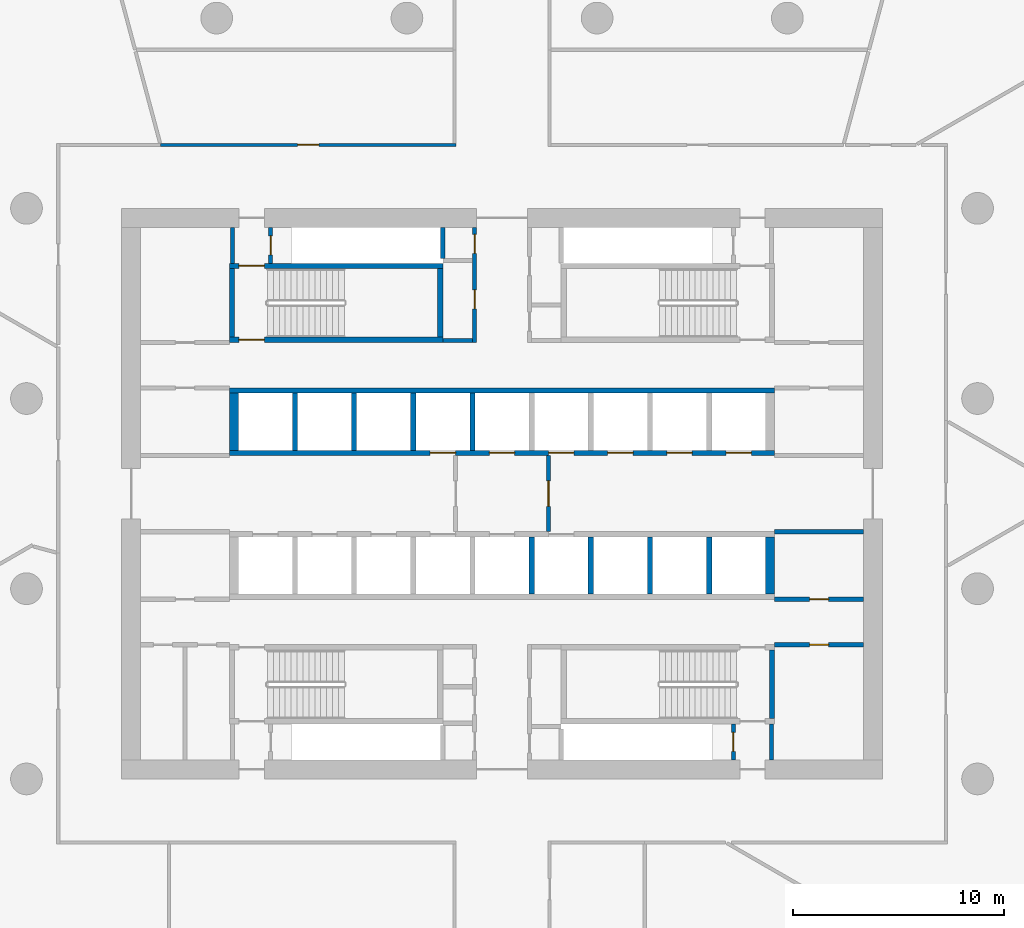
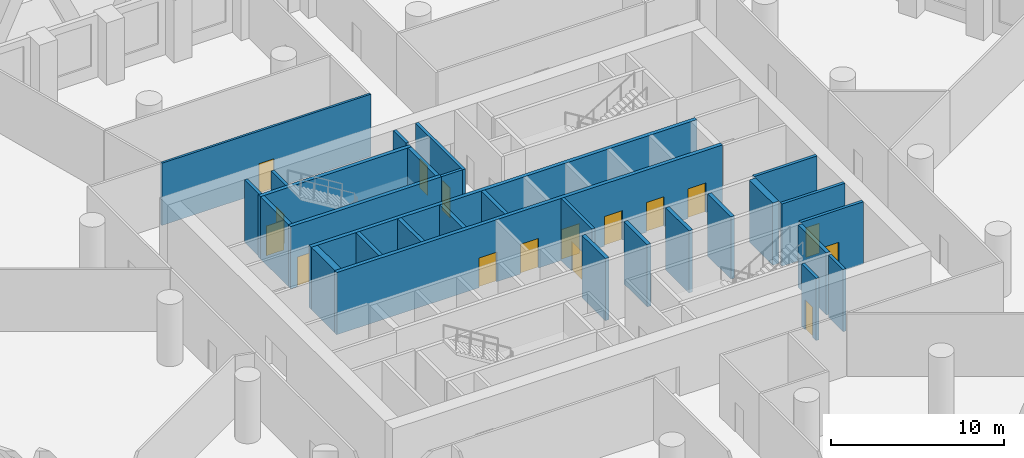
# One storey, part 7 of 27: 29 walls, 16 doors, 16 openings.
"""IFC4 building model written with IfcOpenShell, lengths in metres."""

from ifc_helpers import new_model, si_unit, direction, frame, frame_2d, origin, place, context, subcontext, project, spatial, polyline, rectangle, outline, extrude, material, layer, layer_set, type_object, element, fill, save


model = new_model("IFC4")

# Units and contexts
model_context = context("Model", 3, precision=1e-05, world=origin(), true_north=direction((0.0, 1.0)))
body_context = subcontext(model_context, "Body", "Model", "MODEL_VIEW")
ifc_project = project(units=[si_unit("LENGTHUNIT", "METRE"), si_unit("AREAUNIT", "SQUARE_METRE"), si_unit("VOLUMEUNIT", "CUBIC_METRE"), si_unit("PLANEANGLEUNIT", "RADIAN"), si_unit("MASSUNIT", "GRAM", prefix="KILO")], contexts=[model_context])

# Site, building, storey
site_placement = place(None, origin())
site = spatial("IfcSite", under=ifc_project, at=site_placement, CompositionType="ELEMENT")
building_placement = place(site_placement, origin())
building = spatial("IfcBuilding", under=site, at=building_placement, Name="Dhurran Vertical Campus", CompositionType="ELEMENT")
storey_placement = place(building_placement, frame((0.0, 0.0, 10.800048828125)))
storey = spatial("IfcBuildingStorey", under=building, at=storey_placement, Name="L02", CompositionType="ELEMENT", Elevation=10.800048828125)

# Wall, opening, door
ifc_material_1 = material(Name="Fire-rated masonry blockwork", Category="masonry")
ifc_layer_1 = layer(ifc_material_1, 0.199951171875)
ifc_layer_set_1 = layer_set([ifc_layer_1], Name="Fire-rated masonry blockwork")
wall_type_1 = type_object("IfcWallType", Name="co-FIRE-PARTITION-200", PredefinedType="PARTITIONING", material=ifc_layer_set_1)
wall_1_placement = place(storey_placement, frame((2.199951171875, -1.800048828125, 0.0), z_axis=(0.0, 0.0, 1.0), x_axis=(0.0, 1.0, 0.0)))
wall_1 = element("IfcWall", 1, at=wall_1_placement, inside=storey, type_object=wall_type_1, Name="Firefighting lobby wall E L02", PredefinedType="PARTITIONING", context=body_context, shape_type="SweptSolid", body=[
    extrude(rectangle(XDim=3.60009765625, YDim=0.199951171875, at=frame_2d((1.800048828125, 0.0))), origin(), (0.0, 0.0, 1.0), 4.39990234375),
])
opening_1_placement = place(wall_1_placement, frame((1.199951171875, 0.0, 0.0)))
opening_1 = element("IfcOpeningElement", 2, at=opening_1_placement, cuts=wall_1, Name="Opening FL2", PredefinedType="OPENING", context=body_context, shape_type="SweptSolid", body=[
    extrude(rectangle(XDim=1.199951171875, YDim=2.10009765625, at=frame_2d((0.60009765625, 1.050048828125))), frame((0.0, 0.10986328125, 0.0), z_axis=(0.0, -1.0, 0.0), x_axis=(1.0, 0.0, 0.0)), (0.0, 0.0, 1.0), 0.219970703125),
])
ifc_material_2 = material(Name="Fire-rated steel door set", Category="steel")
door_type_1 = type_object("IfcDoorType", Name="co-D-FFLOBBY 1200x2100", OperationType="SINGLE_SWING_LEFT", PredefinedType="DOOR", material=ifc_material_2)
door_1_placement = place(opening_1_placement, origin())
door_1 = element("IfcDoor", 3, at=door_1_placement, inside=storey, type_object=door_type_1, Name="Firefighting lobby door E L02", OperationType="SINGLE_SWING_LEFT", OverallHeight=2.10009765625, OverallWidth=1.199951171875, PredefinedType="DOOR", context=body_context, shape_type="SweptSolid", body=[
    extrude(rectangle(XDim=1.199951171875, YDim=2.10009765625, at=frame_2d((0.60009765625, 1.050048828125))), frame((0.0, 0.02490234375, 0.0), z_axis=(0.0, -1.0, 0.0), x_axis=(1.0, 0.0, 0.0)), (0.0, 0.0, 1.0), 0.050048828125),
])
fill(opening_1, door_1)

# Wall
wall_2_placement = place(storey_placement, frame((-2.800048828125, 7.25, 0.0), z_axis=(0.0, 0.0, 1.0), x_axis=(1.0, 0.0, 0.0)))
element("IfcWall", 4, at=wall_2_placement, inside=storey, type_object=wall_type_1, Name="Core partition sl-NW-S L02", PredefinedType="PARTITIONING", context=body_context, shape_type="SweptSolid", body=[
    extrude(rectangle(XDim=1.400146484375, YDim=0.199951171875, at=frame_2d((0.7001953125, 0.0))), origin(), (0.0, 0.0, 1.0), 4.39990234375),
])

# Wall, openings, doors
wall_3_placement = place(storey_placement, frame((-1.300048828125, 7.14990234375, 0.0), z_axis=(0.0, 0.0, 1.0), x_axis=(0.0, 1.0, 0.0)))
wall_3 = element("IfcWall", 5, at=wall_3_placement, inside=storey, type_object=wall_type_1, Name="Core partition vest-NW L02", PredefinedType="PARTITIONING", context=body_context, shape_type="SweptSolid", body=[
    extrude(rectangle(XDim=5.4501953125, YDim=0.199951171875, at=frame_2d((2.72509765625, 0.0))), origin(), (0.0, 0.0, 1.0), 4.39990234375),
])
opening_2_placement = place(wall_3_placement, frame((1.58740234375, 0.0, 0.0)))
opening_2 = element("IfcOpeningElement", 6, at=opening_2_placement, cuts=wall_3, Name="Opening PD02-C6", PredefinedType="OPENING", context=body_context, shape_type="SweptSolid", body=[
    extrude(rectangle(XDim=0.89990234375, YDim=2.10009765625, at=frame_2d((0.449951171875, 1.050048828125))), frame((0.0, 0.10986328125, 0.0), z_axis=(0.0, -1.0, 0.0), x_axis=(1.0, 0.0, 0.0)), (0.0, 0.0, 1.0), 0.219970703125),
])
opening_3_placement = place(wall_3_placement, frame((4.21240234375, 0.0, 0.0)))
opening_3 = element("IfcOpeningElement", 7, at=opening_3_placement, cuts=wall_3, Name="Opening PD02-C7", PredefinedType="OPENING", context=body_context, shape_type="SweptSolid", body=[
    extrude(rectangle(XDim=0.89990234375, YDim=2.10009765625, at=frame_2d((0.449951171875, 1.050048828125))), frame((0.0, 0.10986328125, 0.0), z_axis=(0.0, -1.0, 0.0), x_axis=(1.0, 0.0, 0.0)), (0.0, 0.0, 1.0), 0.219970703125),
])
ifc_material_3 = material(Name="Fire-rated timber door set", Category="wood")
door_type_2 = type_object("IfcDoorType", Name="co-D-ROOM 900x2100", OperationType="SINGLE_SWING_LEFT", PredefinedType="DOOR", material=ifc_material_3)
door_2_placement = place(opening_2_placement, origin())
door_2 = element("IfcDoor", 8, at=door_2_placement, inside=storey, type_object=door_type_2, Name="Server room door L02", OperationType="SINGLE_SWING_LEFT", OverallHeight=2.10009765625, OverallWidth=0.89990234375, PredefinedType="DOOR", context=body_context, shape_type="SweptSolid", body=[
    extrude(rectangle(XDim=0.89990234375, YDim=2.10009765625, at=frame_2d((0.449951171875, 1.050048828125))), frame((0.0, 0.02490234375, 0.0), z_axis=(0.0, -1.0, 0.0), x_axis=(1.0, 0.0, 0.0)), (0.0, 0.0, 1.0), 0.050048828125),
])
fill(opening_2, door_2)
door_3_placement = place(opening_3_placement, origin())
door_3 = element("IfcDoor", 9, at=door_3_placement, inside=storey, type_object=door_type_2, Name="Cleaner's store door L02", OperationType="SINGLE_SWING_LEFT", OverallHeight=2.10009765625, OverallWidth=0.89990234375, PredefinedType="DOOR", context=body_context, shape_type="SweptSolid", body=[
    extrude(rectangle(XDim=0.89990234375, YDim=2.10009765625, at=frame_2d((0.449951171875, 1.050048828125))), frame((0.0, 0.02490234375, 0.0), z_axis=(0.0, -1.0, 0.0), x_axis=(1.0, 0.0, 0.0)), (0.0, 0.0, 1.0), 0.050048828125),
])
fill(opening_3, door_3)

# Wall
wall_4_placement = place(storey_placement, frame((-12.75, 10.89990234375, 0.0), z_axis=(0.0, 0.0, 1.0), x_axis=(0.0, 1.0, 0.0)))
element("IfcWall", 10, at=wall_4_placement, inside=storey, type_object=wall_type_1, Name="Core partition pass-ST1-o L02", PredefinedType="PARTITIONING", context=body_context, shape_type="SweptSolid", body=[
    extrude(rectangle(XDim=1.7001953125, YDim=0.199951171875, at=frame_2d((0.85009765625, 0.0))), origin(), (0.0, 0.0, 1.0), 4.39990234375),
])

# Wall, opening, door
wall_5_placement = place(storey_placement, frame((-10.949951171875, 10.89990234375, 0.0), z_axis=(0.0, 0.0, 1.0), x_axis=(0.0, 1.0, 0.0)))
wall_5 = element("IfcWall", 11, at=wall_5_placement, inside=storey, type_object=wall_type_1, Name="Core partition pass-ST1-i L02", PredefinedType="PARTITIONING", context=body_context, shape_type="SweptSolid", body=[
    extrude(rectangle(XDim=1.7001953125, YDim=0.199951171875, at=frame_2d((0.85009765625, 0.0))), origin(), (0.0, 0.0, 1.0), 4.39990234375),
])
opening_4_placement = place(wall_5_placement, frame((0.39990234375, 0.0, 0.0)))
opening_4 = element("IfcOpeningElement", 12, at=opening_4_placement, cuts=wall_5, Name="Opening PD02-C10", PredefinedType="OPENING", context=body_context, shape_type="SweptSolid", body=[
    extrude(rectangle(XDim=0.89990234375, YDim=2.10009765625, at=frame_2d((0.449951171875, 1.050048828125))), frame((0.0, 0.10986328125, 0.0), z_axis=(0.0, -1.0, 0.0), x_axis=(1.0, 0.0, 0.0)), (0.0, 0.0, 1.0), 0.219970703125),
])
door_4_placement = place(opening_4_placement, origin())
door_4 = element("IfcDoor", 13, at=door_4_placement, inside=storey, type_object=door_type_2, Name="Riser room door L02", OperationType="SINGLE_SWING_LEFT", OverallHeight=2.10009765625, OverallWidth=0.89990234375, PredefinedType="DOOR", context=body_context, shape_type="SweptSolid", body=[
    extrude(rectangle(XDim=0.89990234375, YDim=2.10009765625, at=frame_2d((0.449951171875, 1.050048828125))), frame((0.0, 0.02490234375, 0.0), z_axis=(0.0, -1.0, 0.0), x_axis=(1.0, 0.0, 0.0)), (0.0, 0.0, 1.0), 0.050048828125),
])
fill(opening_4, door_4)

# Wall
wall_6_placement = place(storey_placement, frame((12.75, -12.60009765625, 0.0), z_axis=(0.0, 0.0, 1.0), x_axis=(0.0, 1.0, 0.0)))
element("IfcWall", 14, at=wall_6_placement, inside=storey, type_object=wall_type_1, Name="Core partition pass-ST4-o L02", PredefinedType="PARTITIONING", context=body_context, shape_type="SweptSolid", body=[
    extrude(rectangle(XDim=1.7001953125, YDim=0.199951171875, at=frame_2d((0.85009765625, 0.0))), origin(), (0.0, 0.0, 1.0), 4.39990234375),
])

# Wall, opening, door
wall_7_placement = place(storey_placement, frame((10.949951171875, -12.60009765625, 0.0), z_axis=(0.0, 0.0, 1.0), x_axis=(0.0, 1.0, 0.0)))
wall_7 = element("IfcWall", 15, at=wall_7_placement, inside=storey, type_object=wall_type_1, Name="Core partition pass-ST4-i L02", PredefinedType="PARTITIONING", context=body_context, shape_type="SweptSolid", body=[
    extrude(rectangle(XDim=1.7001953125, YDim=0.199951171875, at=frame_2d((0.85009765625, 0.0))), origin(), (0.0, 0.0, 1.0), 4.39990234375),
])
opening_5_placement = place(wall_7_placement, frame((0.39990234375, 0.0, 0.0)))
opening_5 = element("IfcOpeningElement", 16, at=opening_5_placement, cuts=wall_7, Name="Opening PD02-C13", PredefinedType="OPENING", context=body_context, shape_type="SweptSolid", body=[
    extrude(rectangle(XDim=0.89990234375, YDim=2.10009765625, at=frame_2d((0.449951171875, 1.050048828125))), frame((0.0, 0.10986328125, 0.0), z_axis=(0.0, -1.0, 0.0), x_axis=(1.0, 0.0, 0.0)), (0.0, 0.0, 1.0), 0.219970703125),
])
door_5_placement = place(opening_5_placement, origin())
door_5 = element("IfcDoor", 17, at=door_5_placement, inside=storey, type_object=door_type_2, Name="Riser room door L02", OperationType="SINGLE_SWING_LEFT", OverallHeight=2.10009765625, OverallWidth=0.89990234375, PredefinedType="DOOR", context=body_context, shape_type="SweptSolid", body=[
    extrude(rectangle(XDim=0.89990234375, YDim=2.10009765625, at=frame_2d((0.449951171875, 1.050048828125))), frame((0.0, 0.02490234375, 0.0), z_axis=(0.0, -1.0, 0.0), x_axis=(1.0, 0.0, 0.0)), (0.0, 0.0, 1.0), 0.050048828125),
])
fill(opening_5, door_5)

wall_8_placement = place(storey_placement, frame((12.89990234375, -7.14990234375, 0.0), z_axis=(0.0, 0.0, 1.0), x_axis=(1.0, 0.0, 0.0)))
wall_8 = element("IfcWall", 18, at=wall_8_placement, inside=storey, type_object=wall_type_1, Name="Core partition en-SE-w L02", PredefinedType="PARTITIONING", context=body_context, shape_type="SweptSolid", body=[
    extrude(rectangle(XDim=4.2001953125, YDim=0.199951171875, at=frame_2d((2.10009765625, 0.0))), origin(), (0.0, 0.0, 1.0), 4.39990234375),
])
opening_6_placement = place(wall_8_placement, frame((1.64990234375, 0.0, 0.0)))
opening_6 = element("IfcOpeningElement", 19, at=opening_6_placement, cuts=wall_8, Name="Opening PD02-C21", PredefinedType="OPENING", context=body_context, shape_type="SweptSolid", body=[
    extrude(rectangle(XDim=0.89990234375, YDim=2.10009765625, at=frame_2d((0.449951171875, 1.050048828125))), frame((0.0, 0.10986328125, 0.0), z_axis=(0.0, -1.0, 0.0), x_axis=(1.0, 0.0, 0.0)), (0.0, 0.0, 1.0), 0.219970703125),
])
door_6_placement = place(opening_6_placement, origin())
door_6 = element("IfcDoor", 20, at=door_6_placement, inside=storey, type_object=door_type_2, Name="Cleaner's store door L02", OperationType="SINGLE_SWING_LEFT", OverallHeight=2.10009765625, OverallWidth=0.89990234375, PredefinedType="DOOR", context=body_context, shape_type="SweptSolid", body=[
    extrude(rectangle(XDim=0.89990234375, YDim=2.10009765625, at=frame_2d((0.449951171875, 1.050048828125))), frame((0.0, 0.02490234375, 0.0), z_axis=(0.0, -1.0, 0.0), x_axis=(1.0, 0.0, 0.0)), (0.0, 0.0, 1.0), 0.050048828125),
])
fill(opening_6, door_6)

wall_9_placement = place(storey_placement, frame((12.89990234375, -5.0, 0.0), z_axis=(0.0, 0.0, 1.0), x_axis=(1.0, 0.0, 0.0)))
wall_9 = element("IfcWall", 21, at=wall_9_placement, inside=storey, type_object=wall_type_1, Name="Core partition es-SE-w L02", PredefinedType="PARTITIONING", context=body_context, shape_type="SweptSolid", body=[
    extrude(rectangle(XDim=4.2001953125, YDim=0.199951171875, at=frame_2d((2.10009765625, 0.0))), origin(), (0.0, 0.0, 1.0), 4.39990234375),
])
opening_7_placement = place(wall_9_placement, frame((1.64990234375, 0.0, 0.0)))
opening_7 = element("IfcOpeningElement", 22, at=opening_7_placement, cuts=wall_9, Name="Opening PD02-C22", PredefinedType="OPENING", context=body_context, shape_type="SweptSolid", body=[
    extrude(rectangle(XDim=0.89990234375, YDim=2.10009765625, at=frame_2d((0.449951171875, 1.050048828125))), frame((0.0, 0.10986328125, 0.0), z_axis=(0.0, -1.0, 0.0), x_axis=(1.0, 0.0, 0.0)), (0.0, 0.0, 1.0), 0.219970703125),
])
door_7_placement = place(opening_7_placement, origin())
door_7 = element("IfcDoor", 23, at=door_7_placement, inside=storey, type_object=door_type_2, Name="Waste room door L02", OperationType="SINGLE_SWING_LEFT", OverallHeight=2.10009765625, OverallWidth=0.89990234375, PredefinedType="DOOR", context=body_context, shape_type="SweptSolid", body=[
    extrude(rectangle(XDim=0.89990234375, YDim=2.10009765625, at=frame_2d((0.449951171875, 1.050048828125))), frame((0.0, 0.02490234375, 0.0), z_axis=(0.0, -1.0, 0.0), x_axis=(1.0, 0.0, 0.0)), (0.0, 0.0, 1.0), 0.050048828125),
])
fill(opening_7, door_7)

# Walls
wall_10_placement = place(storey_placement, frame((12.89990234375, -1.800048828125, 0.0), z_axis=(0.0, 0.0, 1.0), x_axis=(1.0, 0.0, 0.0)))
element("IfcWall", 24, at=wall_10_placement, inside=storey, type_object=wall_type_1, Name="Core partition es-SE-l L02", PredefinedType="PARTITIONING", context=body_context, shape_type="SweptSolid", body=[
    extrude(rectangle(XDim=4.2001953125, YDim=0.199951171875, at=frame_2d((2.10009765625, 0.0))), origin(), (0.0, 0.0, 1.0), 4.39990234375),
])
wall_11_placement = place(storey_placement, frame((-2.800048828125, 11.1259765625, 0.0), z_axis=(0.0, 0.0, 1.0), x_axis=(0.0, 1.0, 0.0)))
element("IfcWall", 25, at=wall_11_placement, inside=storey, type_object=wall_type_1, Name="Riser enclosure wall L02", PredefinedType="PARTITIONING", context=body_context, shape_type="SweptSolid", body=[
    extrude(rectangle(XDim=1.47314453125, YDim=0.199951171875, at=frame_2d((0.736572265625, 0.0))), origin(), (0.0, 0.0, 1.0), 4.39990234375),
])

# Wall, openings, doors
ifc_material_4 = material(Name="Concrete C50/60", Category="concrete")
ifc_layer_2 = layer(ifc_material_4, 0.25)
ifc_layer_set_2 = layer_set([ifc_layer_2], Name="Concrete C50/60")
wall_type_2 = type_object("IfcWallType", Name="co-SHAFT-FRONT-250", PredefinedType="SHEAR", material=ifc_layer_set_2)
wall_12_placement = place(storey_placement, frame((-12.89990234375, 1.925048828125, 0.0), z_axis=(0.0, 0.0, 1.0), x_axis=(1.0, 0.0, 0.0)))
wall_12 = element("IfcWall", 26, at=wall_12_placement, inside=storey, type_object=wall_type_2, Name="Lift landing wall N L02", PredefinedType="SHEAR", context=body_context, shape_type="SweptSolid", body=[
    extrude(rectangle(XDim=25.7998046875, YDim=0.25, at=frame_2d((12.89990234375, 0.0))), origin(), (0.0, 0.0, 1.0), 4.39990234375),
])
opening_8_placement = place(wall_12_placement, frame((9.5, 0.0, 0.0)))
opening_8 = element("IfcOpeningElement", 27, at=opening_8_placement, cuts=wall_12, Name="Opening LD", PredefinedType="OPENING", context=body_context, shape_type="SweptSolid", body=[
    extrude(rectangle(XDim=1.199951171875, YDim=2.10009765625, at=frame_2d((0.60009765625, 1.050048828125))), frame((0.0, 0.135009765625, 0.0), z_axis=(0.0, -1.0, 0.0), x_axis=(1.0, 0.0, 0.0)), (0.0, 0.0, 1.0), 0.27001953125),
])
opening_9_placement = place(wall_12_placement, frame((12.300048828125, 0.0, 0.0)))
opening_9 = element("IfcOpeningElement", 28, at=opening_9_placement, cuts=wall_12, Name="Opening LD", PredefinedType="OPENING", context=body_context, shape_type="SweptSolid", body=[
    extrude(rectangle(XDim=1.199951171875, YDim=2.10009765625, at=frame_2d((0.60009765625, 1.050048828125))), frame((0.0, 0.135009765625, 0.0), z_axis=(0.0, -1.0, 0.0), x_axis=(1.0, 0.0, 0.0)), (0.0, 0.0, 1.0), 0.27001953125),
])
opening_10_placement = place(wall_12_placement, frame((15.10009765625, 0.0, 0.0)))
opening_10 = element("IfcOpeningElement", 29, at=opening_10_placement, cuts=wall_12, Name="Opening LD", PredefinedType="OPENING", context=body_context, shape_type="SweptSolid", body=[
    extrude(rectangle(XDim=1.199951171875, YDim=2.10009765625, at=frame_2d((0.60009765625, 1.050048828125))), frame((0.0, 0.135009765625, 0.0), z_axis=(0.0, -1.0, 0.0), x_axis=(1.0, 0.0, 0.0)), (0.0, 0.0, 1.0), 0.27001953125),
])
opening_11_placement = place(wall_12_placement, frame((17.89990234375, 0.0, 0.0)))
opening_11 = element("IfcOpeningElement", 30, at=opening_11_placement, cuts=wall_12, Name="Opening LD", PredefinedType="OPENING", context=body_context, shape_type="SweptSolid", body=[
    extrude(rectangle(XDim=1.199951171875, YDim=2.10009765625, at=frame_2d((0.60009765625, 1.050048828125))), frame((0.0, 0.135009765625, 0.0), z_axis=(0.0, -1.0, 0.0), x_axis=(1.0, 0.0, 0.0)), (0.0, 0.0, 1.0), 0.27001953125),
])
opening_12_placement = place(wall_12_placement, frame((20.699951171875, 0.0, 0.0)))
opening_12 = element("IfcOpeningElement", 31, at=opening_12_placement, cuts=wall_12, Name="Opening LD", PredefinedType="OPENING", context=body_context, shape_type="SweptSolid", body=[
    extrude(rectangle(XDim=1.199951171875, YDim=2.10009765625, at=frame_2d((0.60009765625, 1.050048828125))), frame((0.0, 0.135009765625, 0.0), z_axis=(0.0, -1.0, 0.0), x_axis=(1.0, 0.0, 0.0)), (0.0, 0.0, 1.0), 0.27001953125),
])
opening_13_placement = place(wall_12_placement, frame((23.5, 0.0, 0.0)))
opening_13 = element("IfcOpeningElement", 32, at=opening_13_placement, cuts=wall_12, Name="Opening LD", PredefinedType="OPENING", context=body_context, shape_type="SweptSolid", body=[
    extrude(rectangle(XDim=1.199951171875, YDim=2.10009765625, at=frame_2d((0.60009765625, 1.050048828125))), frame((0.0, 0.135009765625, 0.0), z_axis=(0.0, -1.0, 0.0), x_axis=(1.0, 0.0, 0.0)), (0.0, 0.0, 1.0), 0.27001953125),
])
ifc_material_5 = material(Name="Stainless steel landing door", Category="steel")
door_type_3 = type_object("IfcDoorType", Name="co-D-LANDING 1200x2100", OperationType="DOUBLE_DOOR_SLIDING", PredefinedType="DOOR", material=ifc_material_5)
door_8_placement = place(opening_8_placement, origin())
door_8 = element("IfcDoor", 33, at=door_8_placement, inside=storey, type_object=door_type_3, Name="Landing door LR1 L02", OperationType="DOUBLE_DOOR_SLIDING", OverallHeight=2.10009765625, OverallWidth=1.199951171875, PredefinedType="DOOR", context=body_context, shape_type="SweptSolid", body=[
    extrude(rectangle(XDim=1.199951171875, YDim=2.10009765625, at=frame_2d((0.60009765625, 1.050048828125))), frame((0.0, 0.02490234375, 0.0), z_axis=(0.0, -1.0, 0.0), x_axis=(1.0, 0.0, 0.0)), (0.0, 0.0, 1.0), 0.050048828125),
])
fill(opening_8, door_8)
door_9_placement = place(opening_9_placement, origin())
door_9 = element("IfcDoor", 34, at=door_9_placement, inside=storey, type_object=door_type_3, Name="Landing door FF1 L02", OperationType="DOUBLE_DOOR_SLIDING", OverallHeight=2.10009765625, OverallWidth=1.199951171875, PredefinedType="DOOR", context=body_context, shape_type="SweptSolid", body=[
    extrude(rectangle(XDim=1.199951171875, YDim=2.10009765625, at=frame_2d((0.60009765625, 1.050048828125))), frame((0.0, 0.02490234375, 0.0), z_axis=(0.0, -1.0, 0.0), x_axis=(1.0, 0.0, 0.0)), (0.0, 0.0, 1.0), 0.050048828125),
])
fill(opening_9, door_9)
door_10_placement = place(opening_10_placement, origin())
door_10 = element("IfcDoor", 35, at=door_10_placement, inside=storey, type_object=door_type_3, Name="Landing door LR2 L02", OperationType="DOUBLE_DOOR_SLIDING", OverallHeight=2.10009765625, OverallWidth=1.199951171875, PredefinedType="DOOR", context=body_context, shape_type="SweptSolid", body=[
    extrude(rectangle(XDim=1.199951171875, YDim=2.10009765625, at=frame_2d((0.60009765625, 1.050048828125))), frame((0.0, 0.02490234375, 0.0), z_axis=(0.0, -1.0, 0.0), x_axis=(1.0, 0.0, 0.0)), (0.0, 0.0, 1.0), 0.050048828125),
])
fill(opening_10, door_10)
door_11_placement = place(opening_11_placement, origin())
door_11 = element("IfcDoor", 36, at=door_11_placement, inside=storey, type_object=door_type_3, Name="Landing door LR3 L02", OperationType="DOUBLE_DOOR_SLIDING", OverallHeight=2.10009765625, OverallWidth=1.199951171875, PredefinedType="DOOR", context=body_context, shape_type="SweptSolid", body=[
    extrude(rectangle(XDim=1.199951171875, YDim=2.10009765625, at=frame_2d((0.60009765625, 1.050048828125))), frame((0.0, 0.02490234375, 0.0), z_axis=(0.0, -1.0, 0.0), x_axis=(1.0, 0.0, 0.0)), (0.0, 0.0, 1.0), 0.050048828125),
])
fill(opening_11, door_11)
door_12_placement = place(opening_12_placement, origin())
door_12 = element("IfcDoor", 37, at=door_12_placement, inside=storey, type_object=door_type_3, Name="Landing door LR4 L02", OperationType="DOUBLE_DOOR_SLIDING", OverallHeight=2.10009765625, OverallWidth=1.199951171875, PredefinedType="DOOR", context=body_context, shape_type="SweptSolid", body=[
    extrude(rectangle(XDim=1.199951171875, YDim=2.10009765625, at=frame_2d((0.60009765625, 1.050048828125))), frame((0.0, 0.02490234375, 0.0), z_axis=(0.0, -1.0, 0.0), x_axis=(1.0, 0.0, 0.0)), (0.0, 0.0, 1.0), 0.050048828125),
])
fill(opening_12, door_12)
door_13_placement = place(opening_13_placement, origin())
door_13 = element("IfcDoor", 38, at=door_13_placement, inside=storey, type_object=door_type_3, Name="Landing door SV2 L02", OperationType="DOUBLE_DOOR_SLIDING", OverallHeight=2.10009765625, OverallWidth=1.199951171875, PredefinedType="DOOR", context=body_context, shape_type="SweptSolid", body=[
    extrude(rectangle(XDim=1.199951171875, YDim=2.10009765625, at=frame_2d((0.60009765625, 1.050048828125))), frame((0.0, 0.02490234375, 0.0), z_axis=(0.0, -1.0, 0.0), x_axis=(1.0, 0.0, 0.0)), (0.0, 0.0, 1.0), 0.050048828125),
])
fill(opening_13, door_13)

# Walls
ifc_material_6 = material(Name="Concrete C50/60", Category="concrete")
ifc_layer_3 = layer(ifc_material_6, 0.25)
ifc_layer_set_3 = layer_set([ifc_layer_3], Name="Concrete C50/60")
wall_type_3 = type_object("IfcWallType", Name="co-SHAFT-MASS-250", PredefinedType="SHEAR", material=ifc_layer_set_3)
wall_13_placement = place(storey_placement, origin())
element("IfcWall", 39, at=wall_13_placement, inside=storey, type_object=wall_type_3, Name="Lift shaft wall N L02 1", PredefinedType="SHEAR", context=body_context, shape_type="SweptSolid", body=[
    extrude(outline(polyline([(-12.89990234375, 4.75), (12.89990234375, 4.75), (12.89990234375, 5.0), (-12.89990234375, 5.0), (-12.89990234375, 4.75)])), origin(), (0.0, 0.0, 1.0), 4.39990234375),
])
wall_14_placement = place(storey_placement, origin())
element("IfcWall", 40, at=wall_14_placement, inside=storey, type_object=wall_type_3, Name="Lift shaft wall N L02 2", PredefinedType="SHEAR", context=body_context, shape_type="SweptSolid", body=[
    extrude(outline(polyline([(-12.89990234375, 2.050048828125), (-12.47509765625, 2.050048828125), (-12.47509765625, 4.75), (-12.89990234375, 4.75), (-12.89990234375, 2.050048828125)])), origin(), (0.0, 0.0, 1.0), 4.39990234375),
])
wall_15_placement = place(storey_placement, origin())
element("IfcWall", 41, at=wall_15_placement, inside=storey, type_object=wall_type_3, Name="Lift shaft wall N L02 3", PredefinedType="SHEAR", context=body_context, shape_type="SweptSolid", body=[
    extrude(outline(polyline([(-9.925048828125, 2.050048828125), (-9.675048828125, 2.050048828125), (-9.675048828125, 4.75), (-9.925048828125, 4.75), (-9.925048828125, 2.050048828125)])), origin(), (0.0, 0.0, 1.0), 4.39990234375),
])
wall_16_placement = place(storey_placement, origin())
element("IfcWall", 42, at=wall_16_placement, inside=storey, type_object=wall_type_3, Name="Lift shaft wall N L02 4", PredefinedType="SHEAR", context=body_context, shape_type="SweptSolid", body=[
    extrude(outline(polyline([(-7.125, 2.050048828125), (-6.875, 2.050048828125), (-6.875, 4.75), (-7.125, 4.75), (-7.125, 2.050048828125)])), origin(), (0.0, 0.0, 1.0), 4.39990234375),
])
wall_17_placement = place(storey_placement, origin())
element("IfcWall", 43, at=wall_17_placement, inside=storey, type_object=wall_type_3, Name="Lift shaft wall N L02 5", PredefinedType="SHEAR", context=body_context, shape_type="SweptSolid", body=[
    extrude(outline(polyline([(-4.324951171875, 2.050048828125), (-4.074951171875, 2.050048828125), (-4.074951171875, 4.75), (-4.324951171875, 4.75), (-4.324951171875, 2.050048828125)])), origin(), (0.0, 0.0, 1.0), 4.39990234375),
])
wall_18_placement = place(storey_placement, origin())
element("IfcWall", 44, at=wall_18_placement, inside=storey, type_object=wall_type_3, Name="Lift shaft wall N L02 6", PredefinedType="SHEAR", context=body_context, shape_type="SweptSolid", body=[
    extrude(outline(polyline([(-1.52490234375, 2.050048828125), (-1.27490234375, 2.050048828125), (-1.27490234375, 4.75), (-1.52490234375, 4.75), (-1.52490234375, 2.050048828125)])), origin(), (0.0, 0.0, 1.0), 4.39990234375),
])
wall_19_placement = place(storey_placement, origin())
element("IfcWall", 45, at=wall_19_placement, inside=storey, type_object=wall_type_3, Name="Lift shaft wall S L02 7", PredefinedType="SHEAR", context=body_context, shape_type="SweptSolid", body=[
    extrude(outline(polyline([(1.27490234375, -4.75), (1.52490234375, -4.75), (1.52490234375, -2.050048828125), (1.27490234375, -2.050048828125), (1.27490234375, -4.75)])), origin(), (0.0, 0.0, 1.0), 4.39990234375),
])
wall_20_placement = place(storey_placement, origin())
element("IfcWall", 46, at=wall_20_placement, inside=storey, type_object=wall_type_3, Name="Lift shaft wall S L02 8", PredefinedType="SHEAR", context=body_context, shape_type="SweptSolid", body=[
    extrude(outline(polyline([(4.074951171875, -4.75), (4.324951171875, -4.75), (4.324951171875, -2.050048828125), (4.074951171875, -2.050048828125), (4.074951171875, -4.75)])), origin(), (0.0, 0.0, 1.0), 4.39990234375),
])
wall_21_placement = place(storey_placement, origin())
element("IfcWall", 47, at=wall_21_placement, inside=storey, type_object=wall_type_3, Name="Lift shaft wall S L02 9", PredefinedType="SHEAR", context=body_context, shape_type="SweptSolid", body=[
    extrude(outline(polyline([(6.875, -4.75), (7.125, -4.75), (7.125, -2.050048828125), (6.875, -2.050048828125), (6.875, -4.75)])), origin(), (0.0, 0.0, 1.0), 4.39990234375),
])
wall_22_placement = place(storey_placement, origin())
element("IfcWall", 48, at=wall_22_placement, inside=storey, type_object=wall_type_3, Name="Lift shaft wall S L02 10", PredefinedType="SHEAR", context=body_context, shape_type="SweptSolid", body=[
    extrude(outline(polyline([(9.675048828125, -4.75), (9.925048828125, -4.75), (9.925048828125, -2.050048828125), (9.675048828125, -2.050048828125), (9.675048828125, -4.75)])), origin(), (0.0, 0.0, 1.0), 4.39990234375),
])
wall_23_placement = place(storey_placement, origin())
element("IfcWall", 49, at=wall_23_placement, inside=storey, type_object=wall_type_3, Name="Lift shaft wall S L02 11", PredefinedType="SHEAR", context=body_context, shape_type="SweptSolid", body=[
    extrude(outline(polyline([(12.47509765625, -4.75), (12.89990234375, -4.75), (12.89990234375, -2.050048828125), (12.47509765625, -2.050048828125), (12.47509765625, -4.75)])), origin(), (0.0, 0.0, 1.0), 4.39990234375),
])

# Wall, opening, door
ifc_material_7 = material(Name="Concrete C40/50", Category="concrete")
ifc_layer_4 = layer(ifc_material_7, 0.25)
ifc_layer_set_4 = layer_set([ifc_layer_4], Name="Concrete C40/50")
wall_type_4 = type_object("IfcWallType", Name="co-STAIR-WALL-250", PredefinedType="SHEAR", material=ifc_layer_set_4)
wall_24_placement = place(storey_placement, frame((-12.89990234375, 7.27490234375, 0.0), z_axis=(0.0, 0.0, 1.0), x_axis=(1.0, 0.0, 0.0)))
wall_24 = element("IfcWall", 50, at=wall_24_placement, inside=storey, type_object=wall_type_4, Name="Stair ST1 enclosure wall L02", PredefinedType="SHEAR", context=body_context, shape_type="SweptSolid", body=[
    extrude(rectangle(XDim=10.099853515625, YDim=0.25, at=frame_2d((5.0498046875, 0.0))), origin(), (0.0, 0.0, 1.0), 4.39990234375),
])
opening_14_placement = place(wall_24_placement, frame((0.449951171875, 0.0, 0.0)))
opening_14 = element("IfcOpeningElement", 51, at=opening_14_placement, cuts=wall_24, Name="Opening SD1", PredefinedType="OPENING", context=body_context, shape_type="SweptSolid", body=[
    extrude(rectangle(XDim=1.199951171875, YDim=2.10009765625, at=frame_2d((0.60009765625, 1.050048828125))), frame((0.0, 0.135009765625, 0.0), z_axis=(0.0, -1.0, 0.0), x_axis=(1.0, 0.0, 0.0)), (0.0, 0.0, 1.0), 0.27001953125),
])
ifc_material_8 = material(Name="Fire-rated steel door set", Category="steel")
door_type_4 = type_object("IfcDoorType", Name="co-D-STAIR 1200x2100", OperationType="SINGLE_SWING_LEFT", PredefinedType="DOOR", material=ifc_material_8)
door_14_placement = place(opening_14_placement, origin())
door_14 = element("IfcDoor", 52, at=door_14_placement, inside=storey, type_object=door_type_4, Name="Stair ST1 door L02", OperationType="SINGLE_SWING_LEFT", OverallHeight=2.10009765625, OverallWidth=1.199951171875, PredefinedType="DOOR", context=body_context, shape_type="SweptSolid", body=[
    extrude(rectangle(XDim=1.199951171875, YDim=2.10009765625, at=frame_2d((0.60009765625, 1.050048828125))), frame((0.0, 0.02490234375, 0.0), z_axis=(0.0, -1.0, 0.0), x_axis=(1.0, 0.0, 0.0)), (0.0, 0.0, 1.0), 0.050048828125),
])
fill(opening_14, door_14)

wall_25_placement = place(storey_placement, frame((-12.89990234375, 10.77490234375, 0.0), z_axis=(0.0, 0.0, 1.0), x_axis=(1.0, 0.0, 0.0)))
wall_25 = element("IfcWall", 53, at=wall_25_placement, inside=storey, type_object=wall_type_4, Name="Stair ST1 enclosure wall L02", PredefinedType="SHEAR", context=body_context, shape_type="SweptSolid", body=[
    extrude(rectangle(XDim=10.099853515625, YDim=0.25, at=frame_2d((5.0498046875, 0.0))), origin(), (0.0, 0.0, 1.0), 4.39990234375),
])
opening_15_placement = place(wall_25_placement, frame((0.449951171875, 0.0, 0.0)))
opening_15 = element("IfcOpeningElement", 54, at=opening_15_placement, cuts=wall_25, Name="Opening XS1", PredefinedType="OPENING", context=body_context, shape_type="SweptSolid", body=[
    extrude(rectangle(XDim=1.199951171875, YDim=2.10009765625, at=frame_2d((0.60009765625, 1.050048828125))), frame((0.0, 0.135009765625, 0.0), z_axis=(0.0, -1.0, 0.0), x_axis=(1.0, 0.0, 0.0)), (0.0, 0.0, 1.0), 0.27001953125),
])
ifc_material_9 = material(Name="Fire-rated steel door set", Category="steel")
door_type_5 = type_object("IfcDoorType", Name="co-D-STAIR-EXIT 1200x2100", OperationType="SINGLE_SWING_RIGHT", PredefinedType="DOOR", material=ifc_material_9)
door_15_placement = place(opening_15_placement, origin())
door_15 = element("IfcDoor", 55, at=door_15_placement, inside=storey, type_object=door_type_5, Name="Stair ST1 discharge door L02", OperationType="SINGLE_SWING_RIGHT", OverallHeight=2.10009765625, OverallWidth=1.199951171875, PredefinedType="DOOR", context=body_context, shape_type="SweptSolid", body=[
    extrude(rectangle(XDim=1.199951171875, YDim=2.10009765625, at=frame_2d((0.60009765625, 1.050048828125))), frame((0.0, 0.02490234375, 0.0), z_axis=(0.0, -1.0, 0.0), x_axis=(1.0, 0.0, 0.0)), (0.0, 0.0, 1.0), 0.050048828125),
])
fill(opening_15, door_15)

# Walls
for number, where, z_axis, x_axis, name in (
    (56, (-12.77490234375, 7.39990234375, 0.0), (0.0, 0.0, 1.0), (0.0, 1.0, 0.0), "Stair ST1 enclosure wall L02"),
    (57, (-2.925048828125, 7.39990234375, 0.0), (0.0, 0.0, 1.0), (0.0, 1.0, 0.0), "Stair ST1 enclosure wall L02"),
    (58, (12.77490234375, -10.64990234375, 0.0), (0.0, 0.0, 1.0), (0.0, 1.0, 0.0), "Stair ST4 enclosure wall L02"),
):
    element("IfcWall", number, at=place(storey_placement, frame(where, z_axis=z_axis, x_axis=x_axis)), inside=storey, type_object=wall_type_4, Name=name, PredefinedType="SHEAR", context=body_context, shape_type="SweptSolid", body=[
        extrude(rectangle(XDim=3.25, YDim=0.25, at=frame_2d((1.625, 0.0))), origin(), (0.0, 0.0, 1.0), 4.39990234375),
    ])

# Wall, opening, door
ifc_material_10 = material(Name="Gypsum board corridor wall on steel studs", Category="steel")
ifc_layer_5 = layer(ifc_material_10, 0.14990234375)
ifc_layer_set_5 = layer_set([ifc_layer_5], Name="Gypsum board corridor wall on steel studs")
wall_type_5 = type_object("IfcWallType", Name="fl-CW-150 corridor wall", PredefinedType="PARTITIONING", material=ifc_layer_set_5)
wall_26_placement = place(storey_placement, frame((-2.175048828125, 16.5, 0.0), z_axis=(0.0, 0.0, 1.0), x_axis=(-1.0, 0.0, 0.0)))
wall_26 = element("IfcWall", 59, at=wall_26_placement, inside=storey, type_object=wall_type_5, Name="Partition 02-12", PredefinedType="PARTITIONING", context=body_context, shape_type="SweptSolid", body=[
    extrude(rectangle(XDim=13.98095703125, YDim=0.14990234375, at=frame_2d((6.990478515625, 0.0))), origin(), (0.0, 0.0, 1.0), 4.39990234375),
])
opening_16_placement = place(wall_26_placement, frame((6.490478515625, 0.0, 0.0)))
opening_16 = element("IfcOpeningElement", 60, at=opening_16_placement, cuts=wall_26, Name="Opening PD02.05", PredefinedType="OPENING", context=body_context, shape_type="SweptSolid", body=[
    extrude(rectangle(XDim=1.0, YDim=2.10009765625, at=frame_2d((0.5, 1.050048828125))), frame((0.0, 0.0849609375, 0.0), z_axis=(0.0, -1.0, 0.0), x_axis=(1.0, 0.0, 0.0)), (0.0, 0.0, 1.0), 0.169921875),
])
ifc_material_11 = material(Name="Solid-core timber door set, fire-rated", Category="wood")
door_type_6 = type_object("IfcDoorType", Name="fl-D-1000x2100", OperationType="SINGLE_SWING_LEFT", PredefinedType="DOOR", material=ifc_material_11)
door_16_placement = place(opening_16_placement, origin())
door_16 = element("IfcDoor", 61, at=door_16_placement, inside=storey, type_object=door_type_6, Name="Door 02.05", OperationType="SINGLE_SWING_LEFT", OverallHeight=2.10009765625, OverallWidth=1.0, PredefinedType="DOOR", context=body_context, shape_type="SweptSolid", body=[
    extrude(rectangle(XDim=1.0, YDim=2.10009765625, at=frame_2d((0.5, 1.050048828125))), frame((0.0, 0.02490234375, 0.0), z_axis=(0.0, -1.0, 0.0), x_axis=(1.0, 0.0, 0.0)), (0.0, 0.0, 1.0), 0.050048828125),
])
fill(opening_16, door_16)

save(model, "model.ifc")
